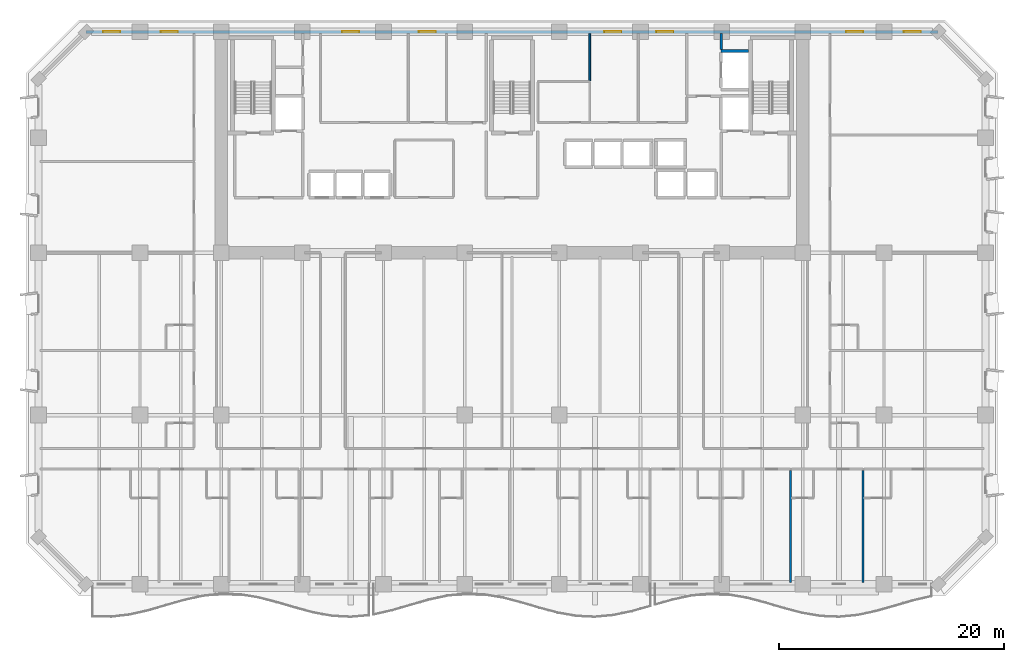
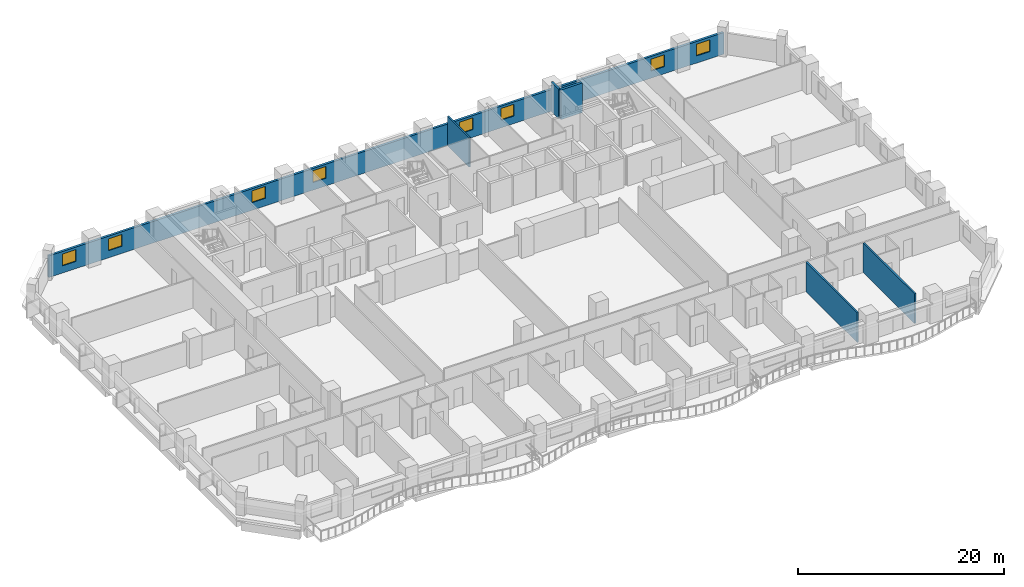
# One storey, part 9 of 15: 8 windows, 6 walls, 8 openings.
"""IFC4 building model written with IfcOpenShell, lengths in metres."""

from ifc_helpers import new_model, si_unit, direction, frame, frame_2d, origin, place, context, subcontext, project, spatial, rectangle, extrude, material, layer, layer_set, type_object, element, fill, save


model = new_model("IFC4")

# Units and contexts
model_context = context("Model", 3, precision=1e-05, world=origin(), true_north=direction((0.0, 1.0)))
body_context = subcontext(model_context, "Body", "Model", "MODEL_VIEW")
ifc_project = project(units=[si_unit("LENGTHUNIT", "METRE"), si_unit("AREAUNIT", "SQUARE_METRE"), si_unit("VOLUMEUNIT", "CUBIC_METRE"), si_unit("PLANEANGLEUNIT", "RADIAN"), si_unit("MASSUNIT", "GRAM", prefix="KILO")], contexts=[model_context])

# Site, building, storey
site_placement = place(None, origin())
site = spatial("IfcSite", under=ifc_project, at=site_placement, CompositionType="ELEMENT")
building_placement = place(site_placement, origin())
building = spatial("IfcBuilding", under=site, at=building_placement, Name="Kaelvorn Grand Hotel", CompositionType="ELEMENT")
storey_placement = place(building_placement, frame((0.0, 0.0, 38.89990234375)))
storey = spatial("IfcBuildingStorey", under=building, at=storey_placement, Name="L07", CompositionType="ELEMENT", Elevation=38.89990234375)

# Wall, openings, windows
ifc_material_1 = material(Name="Concrete C40/50", Category="concrete")
ifc_layer_1 = layer(ifc_material_1, 0.260009765625)
ifc_layer_set_1 = layer_set([ifc_layer_1], Name="Concrete C40/50")
wall_type_1 = type_object("IfcWallType", Name="WL-EXT-260-C40", PredefinedType="SOLIDWALL", material=ifc_layer_set_1)
wall_1_placement = place(storey_placement, frame((79.800048828125, 49.0, 0.0), z_axis=(0.0, 0.0, 1.0), x_axis=(-1.0, 0.0, 0.0)))
wall_1 = element("IfcWall", 1, at=wall_1_placement, inside=storey, type_object=wall_type_1, Name="L07 Exterior Architectural Concrete Wall 05", PredefinedType="SOLIDWALL", context=body_context, shape_type="SweptSolid", body=[
    extrude(rectangle(XDim=75.60009765625, YDim=0.260009765625, at=frame_2d((37.800048828125, 0.0))), origin(), (0.0, 0.0, 1.0), 2.56005859375),
])
opening_1_placement = place(wall_1_placement, frame((72.56494140625, 0.0, 0.85009765625)))
opening_1 = element("IfcOpeningElement", 2, at=opening_1_placement, cuts=wall_1, Name="Opening W10", PredefinedType="OPENING", context=body_context, shape_type="SweptSolid", body=[
    extrude(rectangle(XDim=1.5, YDim=1.39990234375, at=frame_2d((0.75, 0.699951171875))), frame((0.0, 0.14013671875, 0.0), z_axis=(0.0, -1.0, 0.0), x_axis=(1.0, 0.0, 0.0)), (0.0, 0.0, 1.0), 0.280029296875),
])
opening_2_placement = place(wall_1_placement, frame((67.449951171875, 0.0, 0.85009765625)))
opening_2 = element("IfcOpeningElement", 3, at=opening_2_placement, cuts=wall_1, Name="Opening W10", PredefinedType="OPENING", context=body_context, shape_type="SweptSolid", body=[
    extrude(rectangle(XDim=1.5, YDim=1.39990234375, at=frame_2d((0.75, 0.699951171875))), frame((0.0, 0.14013671875, 0.0), z_axis=(0.0, -1.0, 0.0), x_axis=(1.0, 0.0, 0.0)), (0.0, 0.0, 1.0), 0.280029296875),
])
opening_3_placement = place(wall_1_placement, frame((6.64990234375, 0.0, 0.85009765625)))
opening_3 = element("IfcOpeningElement", 4, at=opening_3_placement, cuts=wall_1, Name="Opening W10", PredefinedType="OPENING", context=body_context, shape_type="SweptSolid", body=[
    extrude(rectangle(XDim=1.5, YDim=1.39990234375, at=frame_2d((0.75, 0.699951171875))), frame((0.0, 0.14013671875, 0.0), z_axis=(0.0, -1.0, 0.0), x_axis=(1.0, 0.0, 0.0)), (0.0, 0.0, 1.0), 0.280029296875),
])
opening_4_placement = place(wall_1_placement, frame((1.534912109375, 0.0, 0.85009765625)))
opening_4 = element("IfcOpeningElement", 5, at=opening_4_placement, cuts=wall_1, Name="Opening W10", PredefinedType="OPENING", context=body_context, shape_type="SweptSolid", body=[
    extrude(rectangle(XDim=1.5, YDim=1.39990234375, at=frame_2d((0.75, 0.699951171875))), frame((0.0, 0.14013671875, 0.0), z_axis=(0.0, -1.0, 0.0), x_axis=(1.0, 0.0, 0.0)), (0.0, 0.0, 1.0), 0.280029296875),
])
opening_5_placement = place(wall_1_placement, frame((51.364990234375, 0.0, 0.89990234375)))
opening_5 = element("IfcOpeningElement", 6, at=opening_5_placement, cuts=wall_1, Name="Opening W10", PredefinedType="OPENING", context=body_context, shape_type="SweptSolid", body=[
    extrude(rectangle(XDim=1.5, YDim=1.39990234375, at=frame_2d((0.75, 0.699951171875))), frame((0.0, 0.14013671875, 0.0), z_axis=(0.0, -1.0, 0.0), x_axis=(1.0, 0.0, 0.0)), (0.0, 0.0, 1.0), 0.280029296875),
])
opening_6_placement = place(wall_1_placement, frame((44.550048828125, 0.0, 0.89990234375)))
opening_6 = element("IfcOpeningElement", 7, at=opening_6_placement, cuts=wall_1, Name="Opening W10", PredefinedType="OPENING", context=body_context, shape_type="SweptSolid", body=[
    extrude(rectangle(XDim=1.5, YDim=1.39990234375, at=frame_2d((0.75, 0.699951171875))), frame((0.0, 0.14013671875, 0.0), z_axis=(0.0, -1.0, 0.0), x_axis=(1.0, 0.0, 0.0)), (0.0, 0.0, 1.0), 0.280029296875),
])
opening_7_placement = place(wall_1_placement, frame((28.10009765625, 0.0, 0.89990234375)))
opening_7 = element("IfcOpeningElement", 8, at=opening_7_placement, cuts=wall_1, Name="Opening W10", PredefinedType="OPENING", context=body_context, shape_type="SweptSolid", body=[
    extrude(rectangle(XDim=1.5, YDim=1.39990234375, at=frame_2d((0.75, 0.699951171875))), frame((0.0, 0.14013671875, 0.0), z_axis=(0.0, -1.0, 0.0), x_axis=(1.0, 0.0, 0.0)), (0.0, 0.0, 1.0), 0.280029296875),
])
opening_8_placement = place(wall_1_placement, frame((23.485107421875, 0.0, 0.89990234375)))
opening_8 = element("IfcOpeningElement", 9, at=opening_8_placement, cuts=wall_1, Name="Opening W10", PredefinedType="OPENING", context=body_context, shape_type="SweptSolid", body=[
    extrude(rectangle(XDim=1.5, YDim=1.39990234375, at=frame_2d((0.75, 0.699951171875))), frame((0.0, 0.14013671875, 0.0), z_axis=(0.0, -1.0, 0.0), x_axis=(1.0, 0.0, 0.0)), (0.0, 0.0, 1.0), 0.280029296875),
])
ifc_material_2 = material(Name="Laminated Low-E Glass", Category="glass")
window_type = type_object("IfcWindowType", Name="WIN-COR-1500x1400", PartitioningType="SINGLE_PANEL", PredefinedType="WINDOW", material=ifc_material_2)
window_1_placement = place(opening_1_placement, origin())
window_1 = element("IfcWindow", 10, at=window_1_placement, inside=storey, type_object=window_type, Name="L07 North Wing Ribbon Window NW01", OverallHeight=1.39990234375, OverallWidth=1.5, PartitioningType="SINGLE_PANEL", PredefinedType="WINDOW", context=body_context, shape_type="SweptSolid", body=[
    extrude(rectangle(XDim=1.5, YDim=1.39990234375, at=frame_2d((0.75, 0.699951171875))), frame((0.0, 0.030029296875, 0.0), z_axis=(0.0, -1.0, 0.0), x_axis=(1.0, 0.0, 0.0)), (0.0, 0.0, 1.0), 0.06005859375),
])
fill(opening_1, window_1)
window_2_placement = place(opening_2_placement, origin())
window_2 = element("IfcWindow", 11, at=window_2_placement, inside=storey, type_object=window_type, Name="L07 North Wing Ribbon Window NW02", OverallHeight=1.39990234375, OverallWidth=1.5, PartitioningType="SINGLE_PANEL", PredefinedType="WINDOW", context=body_context, shape_type="SweptSolid", body=[
    extrude(rectangle(XDim=1.5, YDim=1.39990234375, at=frame_2d((0.75, 0.699951171875))), frame((0.0, 0.030029296875, 0.0), z_axis=(0.0, -1.0, 0.0), x_axis=(1.0, 0.0, 0.0)), (0.0, 0.0, 1.0), 0.06005859375),
])
fill(opening_2, window_2)
window_3_placement = place(opening_3_placement, origin())
window_3 = element("IfcWindow", 12, at=window_3_placement, inside=storey, type_object=window_type, Name="L07 North Wing Ribbon Window NW03", OverallHeight=1.39990234375, OverallWidth=1.5, PartitioningType="SINGLE_PANEL", PredefinedType="WINDOW", context=body_context, shape_type="SweptSolid", body=[
    extrude(rectangle(XDim=1.5, YDim=1.39990234375, at=frame_2d((0.75, 0.699951171875))), frame((0.0, 0.030029296875, 0.0), z_axis=(0.0, -1.0, 0.0), x_axis=(1.0, 0.0, 0.0)), (0.0, 0.0, 1.0), 0.06005859375),
])
fill(opening_3, window_3)
window_4_placement = place(opening_4_placement, origin())
window_4 = element("IfcWindow", 13, at=window_4_placement, inside=storey, type_object=window_type, Name="L07 North Wing Ribbon Window NW04", OverallHeight=1.39990234375, OverallWidth=1.5, PartitioningType="SINGLE_PANEL", PredefinedType="WINDOW", context=body_context, shape_type="SweptSolid", body=[
    extrude(rectangle(XDim=1.5, YDim=1.39990234375, at=frame_2d((0.75, 0.699951171875))), frame((0.0, 0.030029296875, 0.0), z_axis=(0.0, -1.0, 0.0), x_axis=(1.0, 0.0, 0.0)), (0.0, 0.0, 1.0), 0.06005859375),
])
fill(opening_4, window_4)
window_5_placement = place(opening_5_placement, origin())
window_5 = element("IfcWindow", 14, at=window_5_placement, inside=storey, type_object=window_type, Name="L07 North Core Clerestory Ribbon Window NC05", OverallHeight=1.39990234375, OverallWidth=1.5, PartitioningType="SINGLE_PANEL", PredefinedType="WINDOW", context=body_context, shape_type="SweptSolid", body=[
    extrude(rectangle(XDim=1.5, YDim=1.39990234375, at=frame_2d((0.75, 0.699951171875))), frame((0.0, 0.030029296875, 0.0), z_axis=(0.0, -1.0, 0.0), x_axis=(1.0, 0.0, 0.0)), (0.0, 0.0, 1.0), 0.06005859375),
])
fill(opening_5, window_5)
window_6_placement = place(opening_6_placement, origin())
window_6 = element("IfcWindow", 15, at=window_6_placement, inside=storey, type_object=window_type, Name="L07 North Core Clerestory Ribbon Window NC06", OverallHeight=1.39990234375, OverallWidth=1.5, PartitioningType="SINGLE_PANEL", PredefinedType="WINDOW", context=body_context, shape_type="SweptSolid", body=[
    extrude(rectangle(XDim=1.5, YDim=1.39990234375, at=frame_2d((0.75, 0.699951171875))), frame((0.0, 0.030029296875, 0.0), z_axis=(0.0, -1.0, 0.0), x_axis=(1.0, 0.0, 0.0)), (0.0, 0.0, 1.0), 0.06005859375),
])
fill(opening_6, window_6)
window_7_placement = place(opening_7_placement, origin())
window_7 = element("IfcWindow", 16, at=window_7_placement, inside=storey, type_object=window_type, Name="L07 North Core Clerestory Ribbon Window NC07", OverallHeight=1.39990234375, OverallWidth=1.5, PartitioningType="SINGLE_PANEL", PredefinedType="WINDOW", context=body_context, shape_type="SweptSolid", body=[
    extrude(rectangle(XDim=1.5, YDim=1.39990234375, at=frame_2d((0.75, 0.699951171875))), frame((0.0, 0.030029296875, 0.0), z_axis=(0.0, -1.0, 0.0), x_axis=(1.0, 0.0, 0.0)), (0.0, 0.0, 1.0), 0.06005859375),
])
fill(opening_7, window_7)
window_8_placement = place(opening_8_placement, origin())
window_8 = element("IfcWindow", 17, at=window_8_placement, inside=storey, type_object=window_type, Name="L07 North Core Clerestory Ribbon Window NC08", OverallHeight=1.39990234375, OverallWidth=1.5, PartitioningType="SINGLE_PANEL", PredefinedType="WINDOW", context=body_context, shape_type="SweptSolid", body=[
    extrude(rectangle(XDim=1.5, YDim=1.39990234375, at=frame_2d((0.75, 0.699951171875))), frame((0.0, 0.030029296875, 0.0), z_axis=(0.0, -1.0, 0.0), x_axis=(1.0, 0.0, 0.0)), (0.0, 0.0, 1.0), 0.06005859375),
])
fill(opening_8, window_8)

# Walls
ifc_material_3 = material(Name="Acoustic Gypsum & Stud Partition")
ifc_layer_2 = layer(ifc_material_3, 0.14990234375)
ifc_layer_set_2 = layer_set([ifc_layer_2], Name="Acoustic Gypsum & Stud Partition")
wall_type_2 = type_object("IfcWallType", Name="WL-PART-150-EI60", PredefinedType="PARTITIONING", material=ifc_layer_set_2)
wall_2_placement = place(storey_placement, frame((48.89990234375, 44.66748046875, 0.0), z_axis=(0.0, 0.0, 1.0), x_axis=(0.0, 1.0, 0.0)))
element("IfcWall", 18, at=wall_2_placement, inside=storey, type_object=wall_type_2, Name="L07 Minibar & Glassware Store W Partition", PredefinedType="PARTITIONING", context=body_context, shape_type="SweptSolid", body=[
    extrude(rectangle(XDim=4.1826171875, YDim=0.14990234375, at=frame_2d((2.09130859375, 0.0))), origin(), (0.0, 0.0, 1.0), 3.510009765625),
])
ifc_layer_3 = layer(ifc_material_3, 0.179931640625)
ifc_layer_set_3 = layer_set([ifc_layer_3], Name="Acoustic Gypsum & Stud Partition")
wall_type_3 = type_object("IfcWallType", Name="WL-PART-180-EI60", PredefinedType="PARTITIONING", material=ifc_layer_set_3)
for number, where, z_axis, x_axis, name in (
    (19, (66.69873046875, 0.14990234375, 0.0), (0.0, 0.0, 1.0), (0.0, 1.0, 0.0), "L07 Deluxe King Guest Room L07-10 E Partition"),
    (20, (73.124267578125, 0.14990234375, 0.0), (0.0, 0.0, 1.0), (0.0, 1.0, 0.0), "L07 Deluxe Panoramic Suite L07-11 E Partition"),
):
    element("IfcWall", number, at=place(storey_placement, frame(where, z_axis=z_axis, x_axis=x_axis)), inside=storey, type_object=wall_type_3, Name=name, PredefinedType="PARTITIONING", context=body_context, shape_type="SweptSolid", body=[
        extrude(rectangle(XDim=9.955078125, YDim=0.179931640625, at=frame_2d((4.9775390625, 0.0))), origin(), (0.0, 0.0, 1.0), 3.510009765625),
    ])
ifc_layer_4 = layer(ifc_material_1, 0.219970703125)
ifc_layer_set_4 = layer_set([ifc_layer_4], Name="Concrete C40/50")
wall_type_4 = type_object("IfcWallType", Name="WL-PART-220-EI120", PredefinedType="PARTITIONING", material=ifc_layer_set_4)
wall_3_placement = place(storey_placement, frame((60.550048828125, 47.445068359375, 0.0), z_axis=(0.0, 0.0, 1.0), x_axis=(0.0, 1.0, 0.0)))
element("IfcWall", 21, at=wall_3_placement, inside=storey, type_object=wall_type_4, Name="L07 Service Lift Lobby E Partition", PredefinedType="PARTITIONING", context=body_context, shape_type="SweptSolid", body=[
    extrude(rectangle(XDim=1.405029296875, YDim=0.219970703125, at=frame_2d((0.70263671875, 0.0))), origin(), (0.0, 0.0, 1.0), 3.510009765625),
])
ifc_material_4 = material(Name="Concrete C50/60", Category="concrete")
ifc_layer_5 = layer(ifc_material_4, 0.280029296875)
ifc_layer_set_5 = layer_set([ifc_layer_5], Name="Concrete C50/60")
wall_type_5 = type_object("IfcWallType", Name="WL-SHAFT-280-C50", PredefinedType="SHEAR", material=ifc_layer_set_5)
wall_4_placement = place(storey_placement, frame((60.550048828125, 47.300048828125, 0.0), z_axis=(0.0, 0.0, 1.0), x_axis=(1.0, 0.0, 0.0)))
element("IfcWall", 22, at=wall_4_placement, inside=storey, type_object=wall_type_5, Name="L07 Lift SV1 Shaft North Wall", PredefinedType="SHEAR", context=body_context, shape_type="SweptSolid", body=[
    extrude(rectangle(XDim=2.4150390625, YDim=0.280029296875, at=frame_2d((1.20751953125, 0.0))), origin(), (0.0, 0.0, 1.0), 3.510009765625),
])

save(model, "model.ifc")
